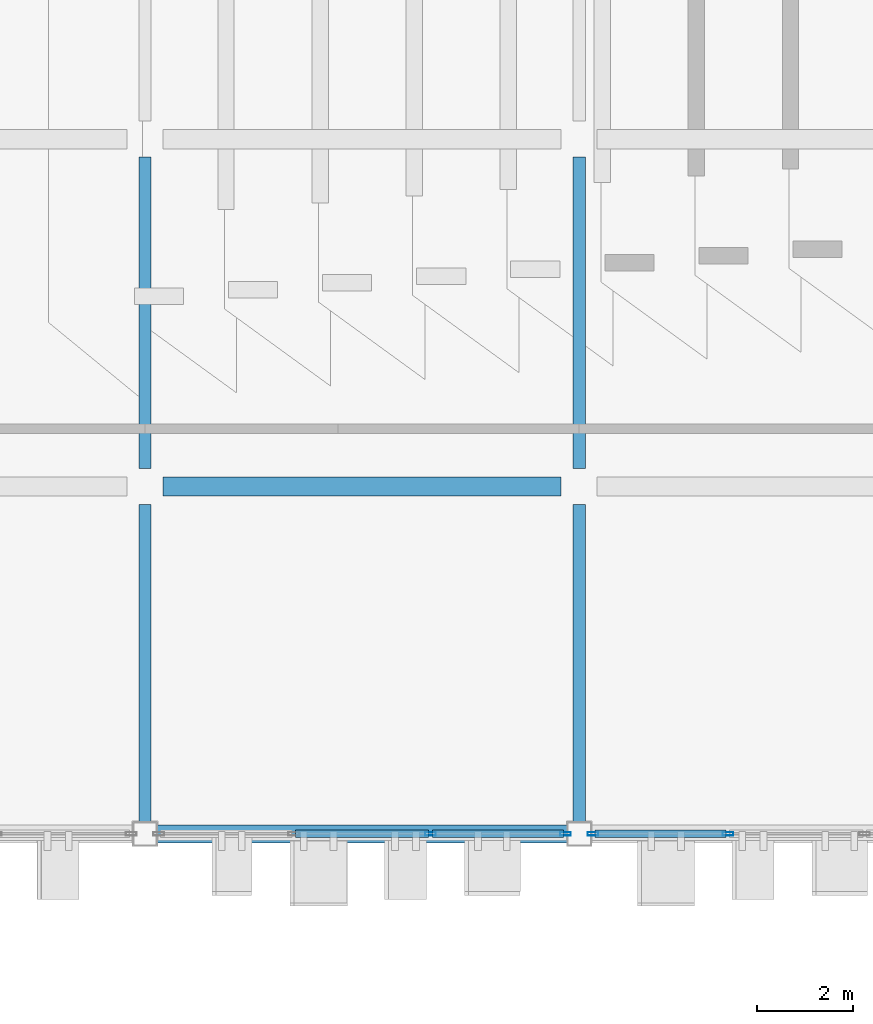
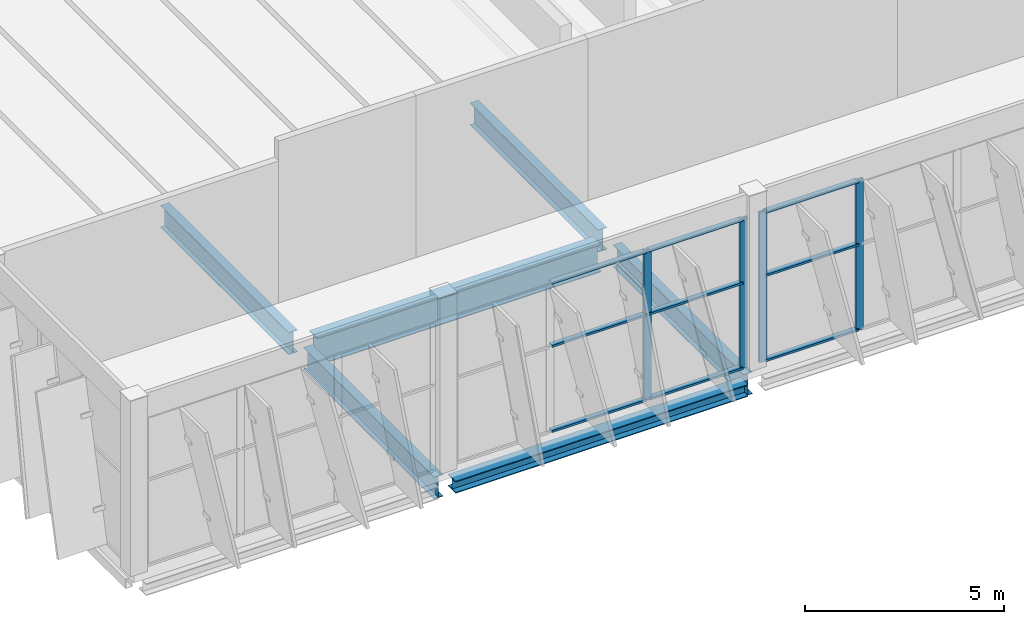
# One storey, part 80 of 189: 13 members, 6 beams, 2 elements without a shape of their own.
"""IFC4 building model written with IfcOpenShell, lengths in metres."""

from ifc_helpers import new_model, si_unit, direction, frame, origin, origin_2d, place, context, subcontext, project, spatial, hollow_rectangle, i_section, extrude, material, layer, layer_set, material_profile, profile_set, type_object, element, aggregate, save


model = new_model("IFC4")

# Units and contexts
model_context = context("Model", 3, precision=1e-05, world=origin(), true_north=direction((0.0, 1.0)))
body_context = subcontext(model_context, "Body", "Model", "MODEL_VIEW")
ifc_project = project(units=[si_unit("LENGTHUNIT", "METRE"), si_unit("AREAUNIT", "SQUARE_METRE"), si_unit("VOLUMEUNIT", "CUBIC_METRE"), si_unit("PLANEANGLEUNIT", "RADIAN"), si_unit("MASSUNIT", "GRAM", prefix="KILO")], contexts=[model_context])

# Site, building, storey
site_placement = place(None, origin())
site = spatial("IfcSite", under=ifc_project, at=site_placement, CompositionType="ELEMENT")
building_placement = place(site_placement, origin())
building = spatial("IfcBuilding", under=site, at=building_placement, Name="Celestram Park Convention Centre", CompositionType="ELEMENT")
storey_placement = place(building_placement, frame((0.0, 0.0, 5.39990234375)))
storey = spatial("IfcBuildingStorey", under=building, at=storey_placement, Name="L01", CompositionType="ELEMENT", Elevation=5.39990234375)

# Curtain wall, members
ifc_material_1 = material(Name="Anodised Aluminium Alloy 6063-T6", Category="aluminium")
ifc_layer = layer(ifc_material_1, 0.179931640625)
ifc_layer_set = layer_set([ifc_layer], Name="Anodised Aluminium Alloy 6063-T6")
curtain_wall_type = type_object("IfcCurtainWallType", Name="ARC-CW-850X462", PredefinedType="NOTDEFINED", material=ifc_layer_set)
curtain_wall_1_placement = place(storey_placement, origin())
curtain_wall_1 = element("IfcCurtainWall", 1, at=curtain_wall_1_placement, inside=storey, type_object=curtain_wall_type, Name="Unitised curtain wall CU-L01-081", PredefinedType="NOTDEFINED")
ifc_material_profile_1 = material_profile(ifc_material_1, hollow_rectangle(XDim=0.074951171875, YDim=0.219970703125, WallThickness=0.00390625, at=origin_2d()), Name="ALU75X220X4")
ifc_profile_set_1 = profile_set([ifc_material_profile_1], Name="Anodised Aluminium Alloy 6063-T6")
member_type_1 = type_object("IfcMemberType", Name="ARC-CWM-180", PredefinedType="MULLION", material=ifc_profile_set_1)
member_1_placement = place(storey_placement, frame((174.082763671875, 115.199951171875, 0.0), z_axis=(0.0, 0.0, 1.0), x_axis=(0.0, -1.0, 0.0)))
member_1 = element("IfcMember", 2, at=member_1_placement, type_object=member_type_1, Name="CW-85X46 mullion 3", PredefinedType="MULLION", context=body_context, shape_type="SweptSolid", body=[
    extrude(hollow_rectangle(XDim=0.074951171875, YDim=0.219970703125, WallThickness=0.00390625, at=origin_2d()), origin(), (0.0, 0.0, 1.0), 4.6240234375),
])
member_2_placement = place(storey_placement, frame((171.285400390625, 115.199951171875, 0.0), z_axis=(0.0, 0.0, 1.0), x_axis=(0.0, -1.0, 0.0)))
member_2 = element("IfcMember", 3, at=member_2_placement, type_object=member_type_1, Name="CW-85X46 mullion 4", PredefinedType="MULLION", context=body_context, shape_type="SweptSolid", body=[
    extrude(hollow_rectangle(XDim=0.074951171875, YDim=0.219970703125, WallThickness=0.00390625, at=origin_2d()), origin(), (0.0, 0.0, 1.0), 4.6240234375),
])

curtain_wall_2_placement = place(storey_placement, origin())
curtain_wall_2 = element("IfcCurtainWall", 4, at=curtain_wall_2_placement, inside=storey, type_object=curtain_wall_type, Name="Unitised curtain wall CU-L01-082", PredefinedType="NOTDEFINED")
member_3_placement = place(storey_placement, frame((170.714599609375, 115.199951171875, 0.0), z_axis=(0.0, 0.0, 1.0), x_axis=(0.0, -1.0, 0.0)))
member_3 = element("IfcMember", 5, at=member_3_placement, type_object=member_type_1, Name="CW-85X46 mullion 1", PredefinedType="MULLION", context=body_context, shape_type="SweptSolid", body=[
    extrude(hollow_rectangle(XDim=0.074951171875, YDim=0.219970703125, WallThickness=0.00390625, at=origin_2d()), origin(), (0.0, 0.0, 1.0), 4.6240234375),
])
member_4_placement = place(storey_placement, frame((167.917236328125, 115.199951171875, 0.0), z_axis=(0.0, 0.0, 1.0), x_axis=(0.0, -1.0, 0.0)))
member_4 = element("IfcMember", 6, at=member_4_placement, type_object=member_type_1, Name="CW-85X46 mullion 2", PredefinedType="MULLION", context=body_context, shape_type="SweptSolid", body=[
    extrude(hollow_rectangle(XDim=0.074951171875, YDim=0.219970703125, WallThickness=0.00390625, at=origin_2d()), origin(), (0.0, 0.0, 1.0), 4.6240234375),
])

# Member
ifc_material_profile_2 = material_profile(ifc_material_1, hollow_rectangle(XDim=0.14990234375, YDim=0.06494140625, WallThickness=0.0029296875, at=origin_2d()), Name="ALU150X65X3")
ifc_profile_set_2 = profile_set([ifc_material_profile_2], Name="Anodised Aluminium Alloy 6063-T6")
member_type_2 = type_object("IfcMemberType", Name="ARC-CWT-150", PredefinedType="USERDEFINED", material=ifc_profile_set_2)
member_5_placement = place(storey_placement, frame((174.045166015625, 115.199951171875, 0.03271484375), z_axis=(-1.0, 0.0, 0.0), x_axis=(0.0, -1.0, 0.0)))
member_5 = element("IfcMember", 7, at=member_5_placement, type_object=member_type_2, Name="CW-85X46 transom 3.1", ObjectType="TRANSOM", PredefinedType="USERDEFINED", context=body_context, shape_type="SweptSolid", body=[
    extrude(hollow_rectangle(XDim=0.14990234375, YDim=0.06494140625, WallThickness=0.0029296875, at=origin_2d()), origin(), (0.0, 0.0, 1.0), 2.72216796875),
])

member_6_placement = place(storey_placement, frame((174.045166015625, 115.199951171875, 2.650146484375), z_axis=(-1.0, 0.0, 0.0), x_axis=(0.0, -1.0, 0.0)))
member_6 = element("IfcMember", 8, at=member_6_placement, type_object=member_type_2, Name="CW-85X46 transom 3.2", ObjectType="TRANSOM", PredefinedType="USERDEFINED", context=body_context, shape_type="SweptSolid", body=[
    extrude(hollow_rectangle(XDim=0.14990234375, YDim=0.06494140625, WallThickness=0.0029296875, at=origin_2d()), origin(), (0.0, 0.0, 1.0), 2.72216796875),
])

member_7_placement = place(storey_placement, frame((174.045166015625, 115.199951171875, 4.591552734375), z_axis=(-1.0, 0.0, 0.0), x_axis=(0.0, -1.0, 0.0)))
member_7 = element("IfcMember", 9, at=member_7_placement, type_object=member_type_2, Name="CW-85X46 transom 3.3", ObjectType="TRANSOM", PredefinedType="USERDEFINED", context=body_context, shape_type="SweptSolid", body=[
    extrude(hollow_rectangle(XDim=0.14990234375, YDim=0.06494140625, WallThickness=0.0029296875, at=origin_2d()), origin(), (0.0, 0.0, 1.0), 2.72216796875),
])

aggregate(curtain_wall_1, [member_1, member_2, member_5, member_6, member_7])

member_8_placement = place(storey_placement, frame((170.677001953125, 115.199951171875, 0.03271484375), z_axis=(-1.0, 0.0, 0.0), x_axis=(0.0, -1.0, 0.0)))
member_8 = element("IfcMember", 10, at=member_8_placement, type_object=member_type_2, Name="CW-85X46 transom 1.1", ObjectType="TRANSOM", PredefinedType="USERDEFINED", context=body_context, shape_type="SweptSolid", body=[
    extrude(hollow_rectangle(XDim=0.14990234375, YDim=0.06494140625, WallThickness=0.0029296875, at=origin_2d()), origin(), (0.0, 0.0, 1.0), 2.72216796875),
])

member_9_placement = place(storey_placement, frame((170.677001953125, 115.199951171875, 2.650146484375), z_axis=(-1.0, 0.0, 0.0), x_axis=(0.0, -1.0, 0.0)))
member_9 = element("IfcMember", 11, at=member_9_placement, type_object=member_type_2, Name="CW-85X46 transom 1.2", ObjectType="TRANSOM", PredefinedType="USERDEFINED", context=body_context, shape_type="SweptSolid", body=[
    extrude(hollow_rectangle(XDim=0.14990234375, YDim=0.06494140625, WallThickness=0.0029296875, at=origin_2d()), origin(), (0.0, 0.0, 1.0), 2.72216796875),
])

member_10_placement = place(storey_placement, frame((170.677001953125, 115.199951171875, 4.591552734375), z_axis=(-1.0, 0.0, 0.0), x_axis=(0.0, -1.0, 0.0)))
member_10 = element("IfcMember", 12, at=member_10_placement, type_object=member_type_2, Name="CW-85X46 transom 1.3", ObjectType="TRANSOM", PredefinedType="USERDEFINED", context=body_context, shape_type="SweptSolid", body=[
    extrude(hollow_rectangle(XDim=0.14990234375, YDim=0.06494140625, WallThickness=0.0029296875, at=origin_2d()), origin(), (0.0, 0.0, 1.0), 2.72216796875),
])

member_11_placement = place(storey_placement, frame((167.8798828125, 115.199951171875, 0.03271484375), z_axis=(-1.0, 0.0, 0.0), x_axis=(0.0, -1.0, 0.0)))
member_11 = element("IfcMember", 13, at=member_11_placement, type_object=member_type_2, Name="CW-85X46 transom 2.1", ObjectType="TRANSOM", PredefinedType="USERDEFINED", context=body_context, shape_type="SweptSolid", body=[
    extrude(hollow_rectangle(XDim=0.14990234375, YDim=0.06494140625, WallThickness=0.0029296875, at=origin_2d()), origin(), (0.0, 0.0, 1.0), 2.759765625),
])

member_12_placement = place(storey_placement, frame((167.8798828125, 115.199951171875, 2.650146484375), z_axis=(-1.0, 0.0, 0.0), x_axis=(0.0, -1.0, 0.0)))
member_12 = element("IfcMember", 14, at=member_12_placement, type_object=member_type_2, Name="CW-85X46 transom 2.2", ObjectType="TRANSOM", PredefinedType="USERDEFINED", context=body_context, shape_type="SweptSolid", body=[
    extrude(hollow_rectangle(XDim=0.14990234375, YDim=0.06494140625, WallThickness=0.0029296875, at=origin_2d()), origin(), (0.0, 0.0, 1.0), 2.759765625),
])

member_13_placement = place(storey_placement, frame((167.8798828125, 115.199951171875, 4.591552734375), z_axis=(-1.0, 0.0, 0.0), x_axis=(0.0, -1.0, 0.0)))
member_13 = element("IfcMember", 15, at=member_13_placement, type_object=member_type_2, Name="CW-85X46 transom 2.3", ObjectType="TRANSOM", PredefinedType="USERDEFINED", context=body_context, shape_type="SweptSolid", body=[
    extrude(hollow_rectangle(XDim=0.14990234375, YDim=0.06494140625, WallThickness=0.0029296875, at=origin_2d()), origin(), (0.0, 0.0, 1.0), 2.759765625),
])

aggregate(curtain_wall_2, [member_3, member_4, member_8, member_9, member_10, member_11, member_12, member_13])

# Beams
ifc_material_2 = material(Name="Steel ASTM A992 Grade 50", Category="steel")
ifc_material_profile_3 = material_profile(ifc_material_2, i_section(OverallWidth=0.25390625, OverallDepth=0.68310546875, WebThickness=0.012451171875, FlangeThickness=0.01904296875, at=origin_2d()), Name="W27X94")
ifc_profile_set_3 = profile_set([ifc_material_profile_3], Name="Steel ASTM A992 Grade 50")
beam_type_1 = type_object("IfcBeamType", Name="STR-BM-W27X94", PredefinedType="BEAM", material=ifc_profile_set_3)
beam_1_placement = place(storey_placement, frame((162.0, 115.447998046875, -0.761474609375), z_axis=(0.0, 1.0, 0.0), x_axis=(-1.0, 0.0, 0.0)))
element("IfcBeam", 16, at=beam_1_placement, inside=storey, type_object=beam_type_1, Name="Primary Y-girder BG-L01-0394", PredefinedType="BEAM", context=body_context, shape_type="SweptSolid", body=[
    extrude(i_section(OverallWidth=0.25390625, OverallDepth=0.68310546875, WebThickness=0.012451171875, FlangeThickness=0.01904296875, at=origin_2d()), origin(), (0.0, 0.0, 1.0), 6.5791015625),
])
beam_2_placement = place(storey_placement, frame((162.0, 122.77294921875, -0.761474609375), z_axis=(0.0, 1.0, 0.0), x_axis=(-1.0, 0.0, 0.0)))
element("IfcBeam", 17, at=beam_2_placement, inside=storey, type_object=beam_type_1, Name="Primary Y-girder BG-L01-0396", PredefinedType="BEAM", context=body_context, shape_type="SweptSolid", body=[
    extrude(i_section(OverallWidth=0.25390625, OverallDepth=0.68310546875, WebThickness=0.012451171875, FlangeThickness=0.01904296875, at=origin_2d()), origin(), (0.0, 0.0, 1.0), 6.4541015625),
])
beam_3_placement = place(storey_placement, frame((171.0, 115.447998046875, -0.761474609375), z_axis=(0.0, 1.0, 0.0), x_axis=(-1.0, 0.0, 0.0)))
element("IfcBeam", 18, at=beam_3_placement, inside=storey, type_object=beam_type_1, Name="Primary Y-girder BG-L01-0420", PredefinedType="BEAM", context=body_context, shape_type="SweptSolid", body=[
    extrude(i_section(OverallWidth=0.25390625, OverallDepth=0.68310546875, WebThickness=0.012451171875, FlangeThickness=0.01904296875, at=origin_2d()), origin(), (0.0, 0.0, 1.0), 6.5791015625),
])
beam_4_placement = place(storey_placement, frame((171.0, 122.77294921875, -0.761474609375), z_axis=(0.0, 1.0, 0.0), x_axis=(-1.0, 0.0, 0.0)))
element("IfcBeam", 19, at=beam_4_placement, inside=storey, type_object=beam_type_1, Name="Primary Y-girder BG-L01-0422", PredefinedType="BEAM", context=body_context, shape_type="SweptSolid", body=[
    extrude(i_section(OverallWidth=0.25390625, OverallDepth=0.68310546875, WebThickness=0.012451171875, FlangeThickness=0.01904296875, at=origin_2d()), origin(), (0.0, 0.0, 1.0), 6.4541015625),
])
ifc_material_profile_4 = material_profile(ifc_material_2, i_section(OverallWidth=0.40087890625, OverallDepth=0.85595703125, WebThickness=0.018310546875, FlangeThickness=0.029296875, at=origin_2d()), Name="W33X201")
ifc_profile_set_4 = profile_set([ifc_material_profile_4], Name="Steel ASTM A992 Grade 50")
beam_type_2 = type_object("IfcBeamType", Name="STR-BM-W33X201", PredefinedType="BEAM", material=ifc_profile_set_4)
beam_5_placement = place(storey_placement, frame((162.373046875, 122.39990234375, -0.847900390625), z_axis=(1.0, 0.0, 0.0), x_axis=(0.0, 1.0, 0.0)))
element("IfcBeam", 20, at=beam_5_placement, inside=storey, type_object=beam_type_2, Name="Primary X-girder BG-L01-0395", PredefinedType="BEAM", context=body_context, shape_type="SweptSolid", body=[
    extrude(i_section(OverallWidth=0.40087890625, OverallDepth=0.85595703125, WebThickness=0.018310546875, FlangeThickness=0.029296875, at=origin_2d()), origin(), (0.0, 0.0, 1.0), 8.25390625),
])
ifc_material_profile_5 = material_profile(ifc_material_2, i_section(OverallWidth=0.373046875, OverallDepth=0.373046875, WebThickness=0.016357421875, FlangeThickness=0.026123046875, at=origin_2d()), Name="W14X132")
ifc_profile_set_5 = profile_set([ifc_material_profile_5], Name="Steel ASTM A992 Grade 50")
beam_type_3 = type_object("IfcBeamType", Name="STR-SPN-W14X132", PredefinedType="SPANDREL", material=ifc_profile_set_5)
beam_6_placement = place(storey_placement, frame((162.248046875, 115.199951171875, -0.6064453125), z_axis=(1.0, 0.0, 0.0), x_axis=(0.0, 1.0, 0.0)))
element("IfcBeam", 21, at=beam_6_placement, inside=storey, type_object=beam_type_3, Name="Primary X-girder BG-L01-0393", PredefinedType="SPANDREL", context=body_context, shape_type="SweptSolid", body=[
    extrude(i_section(OverallWidth=0.373046875, OverallDepth=0.373046875, WebThickness=0.016357421875, FlangeThickness=0.026123046875, at=origin_2d()), origin(), (0.0, 0.0, 1.0), 8.50390625),
])

save(model, "model.ifc")
